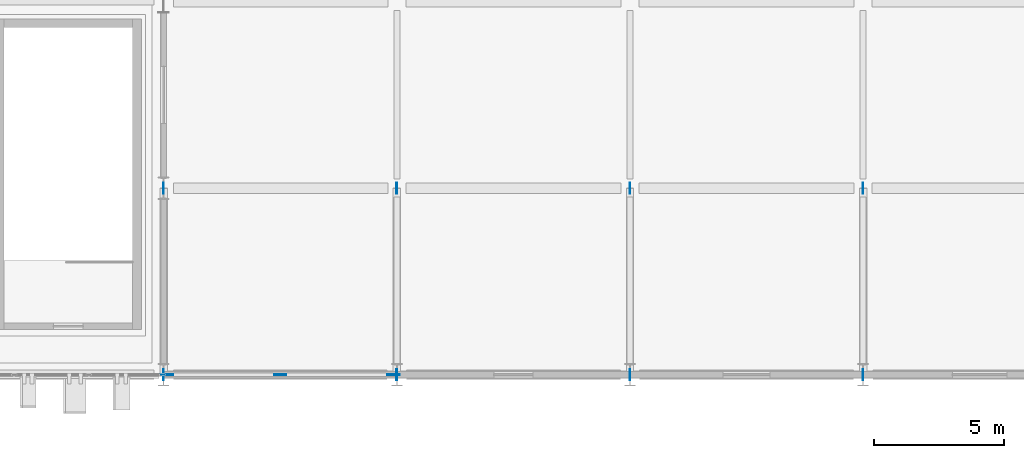
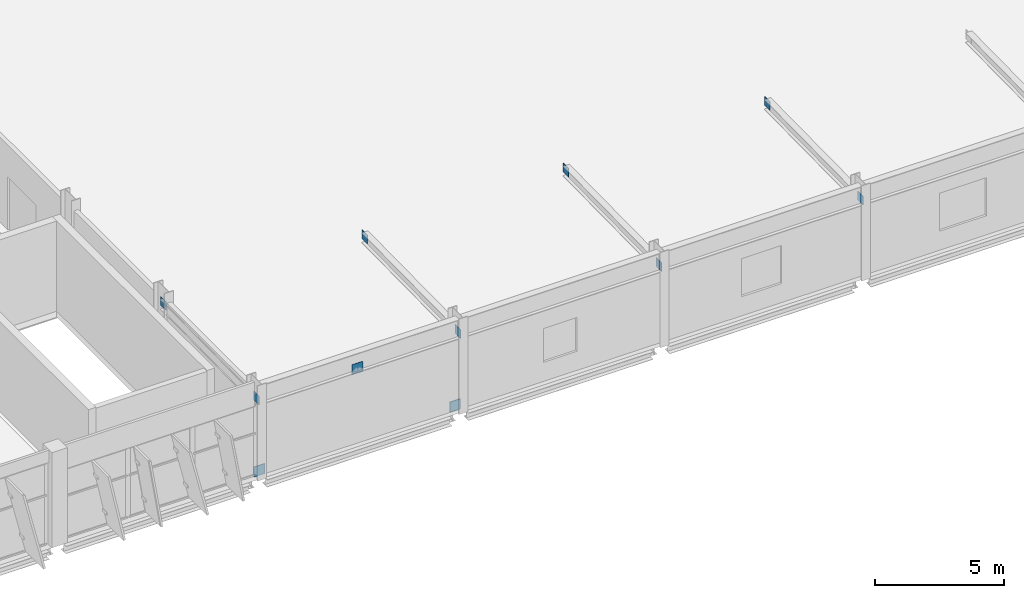
# One storey, part 101 of 151: 11 plates.
"""IFC4 building model written with IfcOpenShell, lengths in metres."""

from ifc_helpers import new_model, si_unit, direction, frame, origin, origin_2d, place, context, subcontext, project, spatial, rectangle, extrude, material, layer, layer_set, type_object, element, save


model = new_model("IFC4")

# Units and contexts
model_context = context("Model", 3, precision=1e-05, world=origin(), true_north=direction((0.0, 1.0)))
body_context = subcontext(model_context, "Body", "Model", "MODEL_VIEW")
ifc_project = project(units=[si_unit("LENGTHUNIT", "METRE"), si_unit("AREAUNIT", "SQUARE_METRE"), si_unit("VOLUMEUNIT", "CUBIC_METRE"), si_unit("PLANEANGLEUNIT", "RADIAN"), si_unit("MASSUNIT", "GRAM", prefix="KILO")], contexts=[model_context])

# Site, building, storey
site_placement = place(None, origin())
site = spatial("IfcSite", under=ifc_project, at=site_placement, CompositionType="ELEMENT")
building_placement = place(site_placement, origin())
building = spatial("IfcBuilding", under=site, at=building_placement, Name="Celestram Park Convention Centre", CompositionType="ELEMENT")
storey_placement = place(building_placement, frame((0.0, 0.0, 10.800048828125)))
storey = spatial("IfcBuildingStorey", under=building, at=storey_placement, Name="L02", CompositionType="ELEMENT", Elevation=10.800048828125)

# Plates
ifc_material = material(Name="Steel ASTM A572 Grade 50", Category="steel")
ifc_layer_1 = layer(ifc_material, 0.02490234375)
ifc_layer_set_1 = layer_set([ifc_layer_1], Name="Steel ASTM A572 Grade 50")
plate_type_1 = type_object("IfcPlateType", Name="STR-PLT-GP25", PredefinedType="USERDEFINED", material=ifc_layer_set_1)
for number, where, z_axis, x_axis, name in (
    (1, (162.0, 0.0, 3.39794921875), (0.0, 0.0, 1.0), (0.0, 1.0, 0.0), "V3 truss node gusset plate"),
    (2, (162.0, 7.199951171875, 3.498046875), (0.0, 0.0, 1.0), (0.0, 1.0, 0.0), "V3 truss node gusset plate"),
    (3, (171.0, 0.0, 3.39794921875), (0.0, 0.0, 1.0), (0.0, 1.0, 0.0), "V3 truss node gusset plate"),
    (4, (171.0, 7.199951171875, 3.498046875), (0.0, 0.0, 1.0), (0.0, 1.0, 0.0), "V3 truss node gusset plate"),
    (5, (180.0, 0.0, 3.39794921875), (0.0, 0.0, 1.0), (0.0, 1.0, 0.0), "V3 truss node gusset plate"),
    (6, (180.0, 7.199951171875, 3.498046875), (0.0, 0.0, 1.0), (0.0, 1.0, 0.0), "V3 truss node gusset plate"),
    (7, (189.0, 0.0, 3.39794921875), (0.0, 0.0, 1.0), (0.0, 1.0, 0.0), "V3 truss node gusset plate"),
    (8, (189.0, 7.199951171875, 3.498046875), (0.0, 0.0, 1.0), (0.0, 1.0, 0.0), "V3 truss node gusset plate"),
):
    element("IfcPlate", number, at=place(storey_placement, frame(where, z_axis=z_axis, x_axis=x_axis)), inside=storey, type_object=plate_type_1, Name=name, ObjectType="GUSSET_PLATE", PredefinedType="USERDEFINED", context=body_context, shape_type="SweptSolid", body=[
        extrude(rectangle(XDim=0.419921875, YDim=0.02490234375, at=origin_2d()), origin(), (0.0, 0.0, 1.0), 0.419921875),
    ])
ifc_layer_2 = layer(ifc_material, 0.031982421875)
ifc_layer_set_2 = layer_set([ifc_layer_2], Name="Steel ASTM A572 Grade 50")
plate_type_2 = type_object("IfcPlateType", Name="STR-PLT-GP32", PredefinedType="USERDEFINED", material=ifc_layer_set_2)
for number, where, z_axis, x_axis, name in (
    (9, (166.5, 0.0, 3.2099609375), (0.0, 0.0, 1.0), (1.0, 0.0, 0.0), "Chevron brace apex gusset GP-L02-538"),
    (10, (162.1201171875, 0.0, -0.090087890625), (0.0, 0.0, 1.0), (1.0, 0.0, 0.0), "Chevron brace base gusset GP-L02-539"),
    (11, (170.8798828125, 0.0, -0.090087890625), (0.0, 0.0, 1.0), (1.0, 0.0, 0.0), "Chevron brace base gusset GP-L02-540"),
):
    element("IfcPlate", number, at=place(storey_placement, frame(where, z_axis=z_axis, x_axis=x_axis)), inside=storey, type_object=plate_type_2, Name=name, ObjectType="GUSSET_PLATE", PredefinedType="USERDEFINED", context=body_context, shape_type="SweptSolid", body=[
        extrude(rectangle(XDim=0.47998046875, YDim=0.031982421875, at=origin_2d()), origin(), (0.0, 0.0, 1.0), 0.47998046875),
    ])

save(model, "model.ifc")
